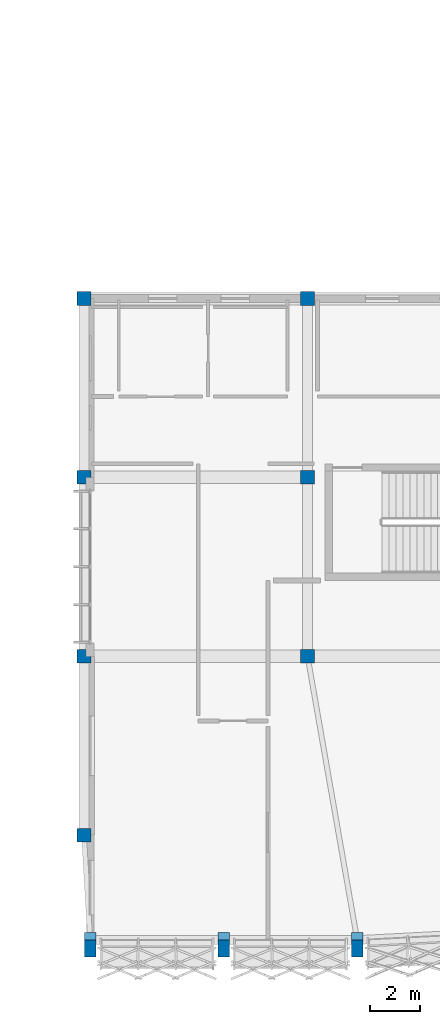
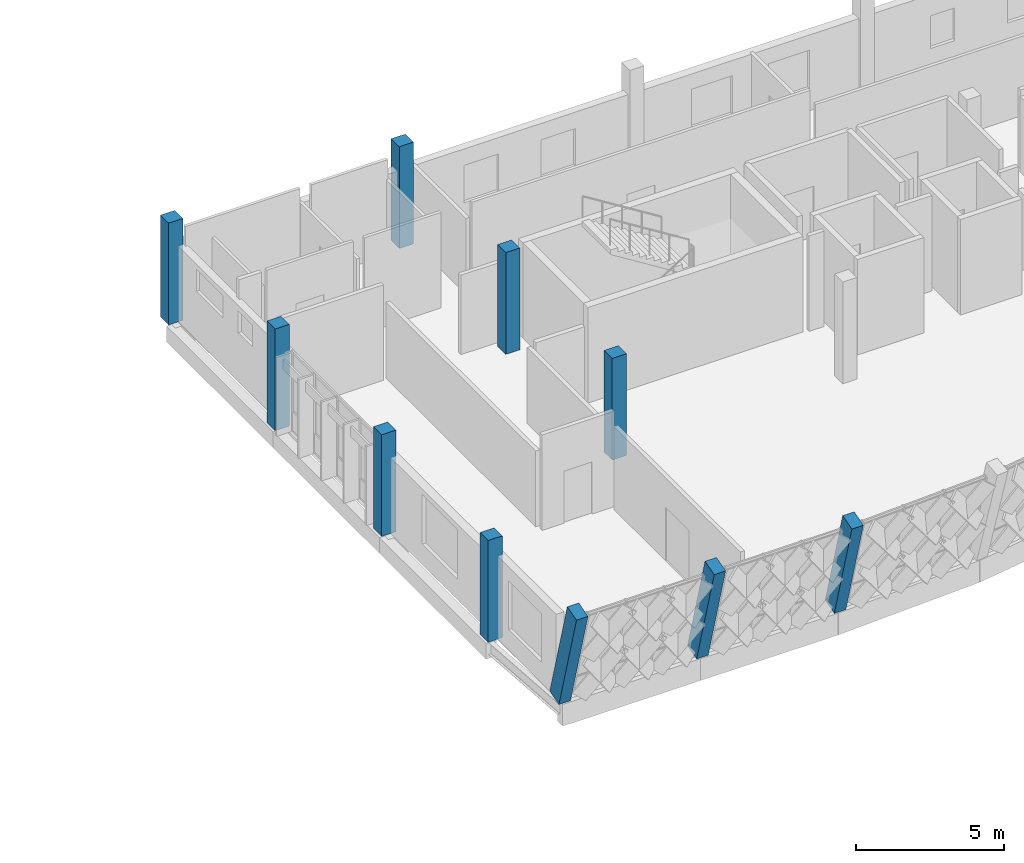
# One storey, part 2 of 94: 10 columns.
"""IFC4 building model written with IfcOpenShell, lengths in metres."""

import ifcopenshell
import ifcopenshell.guid

model = None  # the IFC model being written
_history = None  # IfcOwnerHistory: only IFC2X3 demands one
_inside = {}  # id of a spatial element -> (the spatial element, [elements in it])
_under = {}  # id of a project, library or spatial element -> (it, [spatial elements below it])
_declared = {}  # id of a project -> (the project, [libraries it declares])
_typed = {}  # id of a type object -> (the type object, [elements of that type])
_made_of = {}  # id of a material, layer set ... -> (it, [elements and type objects made of it])


def new_model(schema):
    """Start an empty IFC model of exactly this schema.

    Asked for "IFC4X3", IfcOpenShell would pick the latest addendum, in which some entities
    have other attributes; the version numbers below select the first issue.
    IFC2X3 requires an IfcOwnerHistory on every rooted entity: one is made here for all.
    """
    global model, _history
    if schema == "IFC4X3":
        model = ifcopenshell.file(schema_version=(4, 3, 0, 0))
    else:
        model = ifcopenshell.file(schema=schema)
    _inside.clear()
    _under.clear()
    _declared.clear()
    _typed.clear()
    _made_of.clear()
    _history = None
    if model.schema == "IFC2X3":
        org = make("IfcOrganization", Name="unknown")
        user = make(
            "IfcPersonAndOrganization",
            ThePerson=make("IfcPerson", FamilyName="unknown"),
            TheOrganization=org,
        )
        app = make(
            "IfcApplication",
            ApplicationDeveloper=org,
            Version="unknown",
            ApplicationFullName="unknown",
            ApplicationIdentifier="unknown",
        )
        _history = make(
            "IfcOwnerHistory",
            OwningUser=user,
            OwningApplication=app,
            ChangeAction="ADDED",
            CreationDate=0,
        )
    return model


def make(cls, **values):
    """One entity of the class cls with the attributes given. An attribute that is None is left unset."""
    return model.create_entity(
        cls, **{name: value for name, value in values.items() if value is not None}
    )


def rooted(cls, **values):
    """An entity with a GlobalId (a new one), such as an element, a storey or a relation."""
    return make(cls, GlobalId=ifcopenshell.guid.new(), OwnerHistory=_history, **values)


def si_unit(unit_type, name, prefix=None):
    """IfcSIUnit, for example si_unit("LENGTHUNIT", "METRE", prefix="MILLI")."""
    return make("IfcSIUnit", UnitType=unit_type, Prefix=prefix, Name=name)


def assignment(units):
    """IfcUnitAssignment: the units of a project."""
    return None if units is None else make("IfcUnitAssignment", Units=units)


def point(xyz):
    """IfcCartesianPoint."""
    return None if xyz is None else make("IfcCartesianPoint", Coordinates=xyz)


def direction(xyz):
    """IfcDirection."""
    return None if xyz is None else make("IfcDirection", DirectionRatios=xyz)


def frame(location, z_axis=None, x_axis=None):
    """IfcAxis2Placement3D, a coordinate frame: its origin and axes. An axis left out is left unset."""
    return make(
        "IfcAxis2Placement3D",
        Location=point(location),
        Axis=direction(z_axis),
        RefDirection=direction(x_axis),
    )


def frame_2d(location, x_axis=None):
    """IfcAxis2Placement2D, a coordinate frame in the plane: its origin and x axis."""
    return make(
        "IfcAxis2Placement2D", Location=point(location), RefDirection=direction(x_axis)
    )


def origin():
    """The frame at (0, 0, 0) with its axes left unset."""
    return frame((0.0, 0.0, 0.0))


def origin_2d():
    """The frame at (0, 0) in the plane with its x axis left unset."""
    return frame_2d((0.0, 0.0))


def place(relative_to, where):
    """IfcLocalPlacement: puts the frame where relative to a parent placement (None: the world)."""
    return make(
        "IfcLocalPlacement", PlacementRelTo=relative_to, RelativePlacement=where
    )


def context(
    kind, dimensions, precision=None, world=None, true_north=None, identifier=None
):
    """IfcGeometricRepresentationContext, for example the 3D "Model" context."""
    return make(
        "IfcGeometricRepresentationContext",
        ContextIdentifier=identifier,
        ContextType=kind,
        CoordinateSpaceDimension=dimensions,
        Precision=precision,
        WorldCoordinateSystem=world,
        TrueNorth=true_north,
    )


def subcontext(parent, identifier, kind, view, scale=None):
    """IfcGeometricRepresentationSubContext, for example "Body" below "Model"."""
    return make(
        "IfcGeometricRepresentationSubContext",
        ContextIdentifier=identifier,
        ContextType=kind,
        ParentContext=parent,
        TargetScale=scale,
        TargetView=view,
    )


def project(units=None, contexts=None):
    """IfcProject with its units and contexts."""
    return rooted(
        "IfcProject",
        Name="project",
        RepresentationContexts=contexts,
        UnitsInContext=assignment(units),
    )


def spatial(cls, under=None, at=None, **own):
    """A site, building, storey or space (cls), placed at a placement, below another one or the project."""
    s = rooted(cls, ObjectPlacement=at, **own)
    if under is not None:
        _under.setdefault(under.id(), (under, []))[1].append(s)
    return s


def profile(cls, at=None, kind="AREA", **sizes):
    """A parametric profile (cls). Its sizes go by their IFC names, for example OverallWidth=200.0."""
    return make(cls, ProfileType=kind, Position=at, **sizes)


def rectangle(**sizes):
    """IfcRectangleProfileDef."""
    return profile("IfcRectangleProfileDef", **sizes)


def extrude(swept, where, along, depth):
    """IfcExtrudedAreaSolid: the profile swept, set in the frame where, extruded along a direction by depth."""
    return make(
        "IfcExtrudedAreaSolid",
        SweptArea=swept,
        Position=where,
        ExtrudedDirection=direction(along),
        Depth=depth,
    )


def shape(context_of_items, identifier, shape_type, items):
    """IfcShapeRepresentation: the items that make up one representation, for example the "Body"."""
    return make(
        "IfcShapeRepresentation",
        ContextOfItems=context_of_items,
        RepresentationIdentifier=identifier,
        RepresentationType=shape_type,
        Items=items,
    )


def material(Name=None, Category=None):
    """IfcMaterial."""
    return make("IfcMaterial", Name=Name, Category=Category)


def material_profile(
    of_material, cross_section, Name=None, Category=None, Priority=None
):
    """IfcMaterialProfile: a cross section and its material."""
    return make(
        "IfcMaterialProfile",
        Name=Name,
        Material=of_material,
        Profile=cross_section,
        Priority=Priority,
        Category=Category,
    )


def profile_set(profiles, Name=None, composite=None):
    """IfcMaterialProfileSet."""
    return make(
        "IfcMaterialProfileSet",
        Name=Name,
        MaterialProfiles=profiles,
        CompositeProfile=composite,
    )


def made_of(thing, what):
    """Note that an element or type object is made of a material, layer set ...; save() writes the relation."""
    if what is not None:
        _made_of.setdefault(what.id(), (what, []))[1].append(thing)
    return thing


def type_object(cls, material=None, **own):
    """A type object (cls), such as IfcWallType, which elements share."""
    return made_of(rooted(cls, **own), material)


def element(
    cls,
    number,
    at=None,
    inside=None,
    cuts=None,
    type_object=None,
    material=None,
    context=None,
    identifier="Body",
    shape_type=None,
    held_by="IfcProductDefinitionShape",
    body=None,
    shapes=None,
    **own,
):
    """One element of the class cls, such as IfcWall. Its Tag is "e" and its number.

    at: its placement. inside: the storey or other place that contains it. cuts: it is an
    opening in that element (IfcRelVoidsElement). A single representation is given by context,
    identifier, shape_type and body (its items); several are given by shapes. held_by: the class
    of the entity that holds the representations. save() writes the other relations.
    """
    e = rooted(cls, Tag="e%d" % number, ObjectPlacement=at, **own)
    if body is not None:
        shapes = [shape(context, identifier, shape_type, body)]
    if shapes is not None:
        e.Representation = make(held_by, Representations=shapes)
    if inside is not None:
        _inside.setdefault(inside.id(), (inside, []))[1].append(e)
    if cuts is not None:
        rooted(
            "IfcRelVoidsElement", RelatingBuildingElement=cuts, RelatedOpeningElement=e
        )
    if type_object is not None:
        _typed.setdefault(type_object.id(), (type_object, []))[1].append(e)
    return made_of(e, material)


def aggregate(whole, parts):
    """IfcRelAggregates: a whole, such as a stair, and the parts it consists of."""
    return rooted("IfcRelAggregates", RelatingObject=whole, RelatedObjects=parts)


def save(model, path):
    """Write the relations noted so far, then the file.

    IfcRelAggregates (storeys below a building ...), IfcRelContainedInSpatialStructure (elements
    in a storey), IfcRelDefinesByType, IfcRelAssociatesMaterial and IfcRelDeclares: one each for
    every whole, place, type object, material and project.
    """
    for whole, parts in _under.values():
        aggregate(whole, parts)
    for where, things in _inside.values():
        rooted(
            "IfcRelContainedInSpatialStructure",
            RelatedElements=things,
            RelatingStructure=where,
        )
    for kind, things in _typed.values():
        rooted("IfcRelDefinesByType", RelatedObjects=things, RelatingType=kind)
    for what, things in _made_of.values():
        rooted("IfcRelAssociatesMaterial", RelatedObjects=things, RelatingMaterial=what)
    for by, libraries in _declared.values():
        rooted("IfcRelDeclares", RelatingContext=by, RelatedDefinitions=libraries)
    model.write(path)


model = new_model("IFC4")

# Units and contexts
model_context = context("Model", 3, precision=1e-05, world=origin(), true_north=direction((0.0, 1.0)))
body_context = subcontext(model_context, "Body", "Model", "MODEL_VIEW")
ifc_project = project(units=[si_unit("LENGTHUNIT", "METRE"), si_unit("AREAUNIT", "SQUARE_METRE"), si_unit("VOLUMEUNIT", "CUBIC_METRE"), si_unit("PLANEANGLEUNIT", "RADIAN"), si_unit("MASSUNIT", "GRAM", prefix="KILO")], contexts=[model_context])

# Site, building, storey
site_placement = place(None, origin())
site = spatial("IfcSite", under=ifc_project, at=site_placement, CompositionType="ELEMENT")
building_placement = place(site_placement, origin())
building = spatial("IfcBuilding", under=site, at=building_placement, Name="Chiffa Square Polytechnic", CompositionType="ELEMENT")
storey_placement = place(building_placement, frame((0.0, 0.0, 18.0)))
storey = spatial("IfcBuildingStorey", under=building, at=storey_placement, Name="L04", CompositionType="ELEMENT", Elevation=18.0)

# Columns
ifc_material_1 = material(Name="Glulam GL32c", Category="wood")
ifc_material_profile_1 = material_profile(ifc_material_1, rectangle(XDim=0.449951171875, YDim=0.64990234375, at=origin_2d()), Name="GL32c 450x650")
ifc_profile_set_1 = profile_set([ifc_material_profile_1], Name="Glulam GL32c")
column_type_1 = type_object("IfcColumnType", Name="COL-RAKED-GL650", PredefinedType="USERDEFINED", material=ifc_profile_set_1)
for number, where, z_axis, x_axis, name in (
    (1, (112.449951171875, 2.972900390625, 0.0), (0.0, -0.272178827903, 0.96224668648), (1.0, 0.0, 0.0), "Outward-leaning glulam column CRK-V1-L04-01"),
    (2, (117.824951171875, 2.972900390625, 0.0), (0.0, -0.272178827903, 0.96224668648), (1.0, 0.0, 0.0), "Outward-leaning glulam column CRK-V1-L04-02"),
    (3, (123.199951171875, 2.972900390625, 0.0), (0.0, -0.272178827903, 0.96224668648), (1.0, 0.0, 0.0), "Outward-leaning glulam column CRK-V1-L04-03"),
):
    element("IfcColumn", number, at=place(storey_placement, frame(where, z_axis=z_axis, x_axis=x_axis)), inside=storey, type_object=column_type_1, Name=name, ObjectType="RAKED COLUMN", PredefinedType="USERDEFINED", context=body_context, shape_type="SweptSolid", body=[
        extrude(rectangle(XDim=0.449951171875, YDim=0.64990234375, at=origin_2d()), origin(), (0.0, 0.0, 1.0), 4.36474609375),
    ])
ifc_material_2 = material(Name="Concrete C35/45", Category="concrete")
ifc_material_profile_2 = material_profile(ifc_material_2, rectangle(XDim=0.550048828125, YDim=0.550048828125, at=origin_2d()), Name="RC 550x550")
ifc_profile_set_2 = profile_set([ifc_material_profile_2], Name="Concrete C35/45")
column_type_2 = type_object("IfcColumnType", Name="COL-RC-550", PredefinedType="COLUMN", material=ifc_profile_set_2)
for number, where, z_axis, x_axis, name in (
    (4, (112.199951171875, 7.199951171875, 0.0), (0.0, 0.0, 1.0), (1.0, 0.0, 0.0), "Column C-V1-L04-1122-0072"),
    (5, (112.199951171875, 14.39990234375, 0.0), (0.0, 0.0, 1.0), (1.0, 0.0, 0.0), "Column C-V1-L04-1122-0144"),
    (6, (112.199951171875, 21.60009765625, 0.0), (0.0, 0.0, 1.0), (1.0, 0.0, 0.0), "Column C-V1-L04-1122-0216"),
    (7, (112.199951171875, 28.800048828125, 0.0), (0.0, 0.0, 1.0), (1.0, 0.0, 0.0), "Column C-V1-L04-1122-0288"),
    (8, (121.199951171875, 14.39990234375, 0.0), (0.0, 0.0, 1.0), (1.0, 0.0, 0.0), "Column C-V1-L04-1212-0144"),
    (9, (121.199951171875, 21.60009765625, 0.0), (0.0, 0.0, 1.0), (1.0, 0.0, 0.0), "Column C-V1-L04-1212-0216"),
    (10, (121.199951171875, 28.800048828125, 0.0), (0.0, 0.0, 1.0), (1.0, 0.0, 0.0), "Column C-V1-L04-1212-0288"),
):
    element("IfcColumn", number, at=place(storey_placement, frame(where, z_axis=z_axis, x_axis=x_axis)), inside=storey, type_object=column_type_2, Name=name, PredefinedType="COLUMN", context=body_context, shape_type="SweptSolid", body=[
        extrude(rectangle(XDim=0.550048828125, YDim=0.550048828125, at=origin_2d()), origin(), (0.0, 0.0, 1.0), 4.199951171875),
    ])

save(model, "model.ifc")
